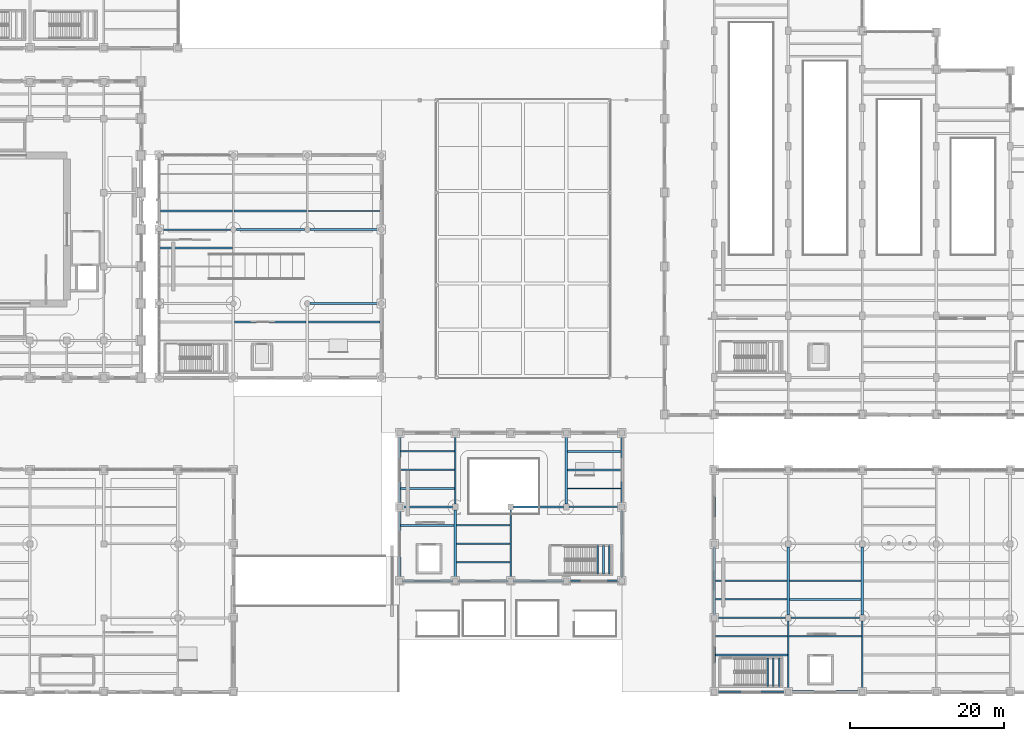
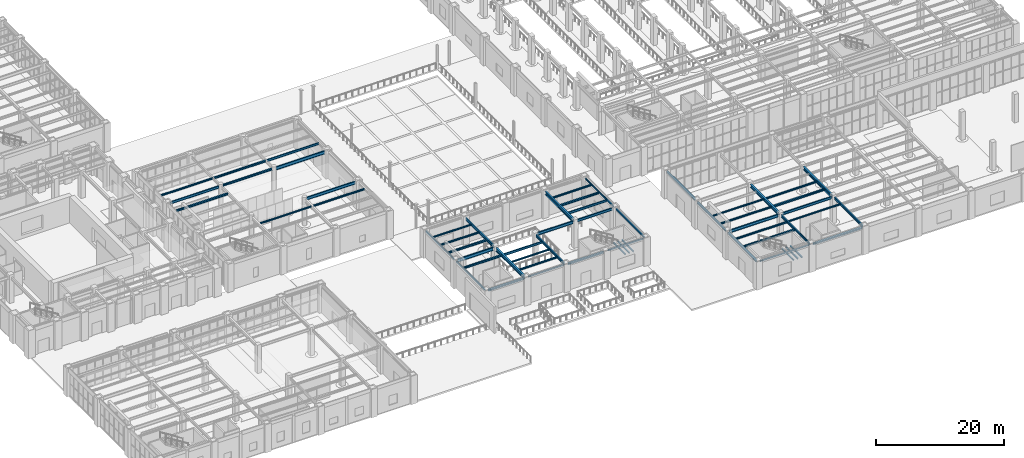
# One storey, part 46 of 164: 59 beams.
"""IFC4 building model written with IfcOpenShell, lengths in metres."""

from ifc_helpers import new_model, si_unit, direction, frame, origin, origin_2d, place, context, subcontext, project, spatial, hollow_rectangle, i_section, extrude, material, material_profile, profile_set, type_object, element, save


model = new_model("IFC4")

# Units and contexts
model_context = context("Model", 3, precision=1e-05, world=origin(), true_north=direction((0.0, 1.0)))
body_context = subcontext(model_context, "Body", "Model", "MODEL_VIEW")
ifc_project = project(units=[si_unit("LENGTHUNIT", "METRE"), si_unit("AREAUNIT", "SQUARE_METRE"), si_unit("VOLUMEUNIT", "CUBIC_METRE"), si_unit("PLANEANGLEUNIT", "RADIAN"), si_unit("MASSUNIT", "GRAM", prefix="KILO")], contexts=[model_context])

# Site, building, storey
site_placement = place(None, origin())
site = spatial("IfcSite", under=ifc_project, at=site_placement, CompositionType="ELEMENT")
building_placement = place(site_placement, origin())
building = spatial("IfcBuilding", under=site, at=building_placement, Name="Mavantir Sound Aquarium", CompositionType="ELEMENT")
storey_placement = place(building_placement, origin())
storey = spatial("IfcBuildingStorey", under=building, at=storey_placement, Name="L00", CompositionType="ELEMENT", Elevation=0.0)

# Beams
ifc_material_1 = material(Name="Hollow Structural Steel ASTM A500 GrC", Category="steel")
ifc_material_profile_1 = material_profile(ifc_material_1, hollow_rectangle(XDim=0.199951171875, YDim=0.300048828125, WallThickness=0.012451171875, InnerFilletRadius=0.012451171875, OuterFilletRadius=0.02490234375, at=origin_2d()), Name="RHS 300X200X12.5")
ifc_profile_set_1 = profile_set([ifc_material_profile_1], Name="Hollow Structural Steel ASTM A500 GrC")
beam_type_1 = type_object("IfcBeamType", Name="BM-RHS300-E", PredefinedType="SPANDREL", material=ifc_profile_set_1)
for number, where, z_axis, x_axis, name in (
    (1, (67.199951171875, 14.77490234375, 4.946044921875), (0.0, 1.0, 0.0), (-1.0, 0.0, 0.0), "L00 primary girder SS-R30 1112"),
    (2, (67.199951171875, 24.375, 4.946044921875), (0.0, 1.0, 0.0), (-1.0, 0.0, 0.0), "L00 primary girder SS-R30 1113"),
    (3, (96.0, 14.77490234375, 4.946044921875), (0.0, 1.0, 0.0), (-1.0, 0.0, 0.0), "L00 primary girder SS-R30 1118"),
    (4, (96.0, 24.375, 4.946044921875), (0.0, 1.0, 0.0), (-1.0, 0.0, 0.0), "L00 primary girder SS-R30 1119"),
):
    element("IfcBeam", number, at=place(storey_placement, frame(where, z_axis=z_axis, x_axis=x_axis)), inside=storey, type_object=beam_type_1, Name=name, PredefinedType="SPANDREL", context=body_context, shape_type="SweptSolid", body=[
        extrude(hollow_rectangle(XDim=0.199951171875, YDim=0.300048828125, WallThickness=0.012451171875, InnerFilletRadius=0.012451171875, OuterFilletRadius=0.02490234375, at=origin_2d()), origin(), (0.0, 0.0, 1.0), 8.85009765625),
    ])
ifc_material_2 = material(Name="Structural Steel ASTM A992 Gr50", Category="steel")
ifc_material_profile_2 = material_profile(ifc_material_2, i_section(OverallWidth=0.202880859375, OverallDepth=0.202880859375, WebThickness=0.007080078125, FlangeThickness=0.010986328125, FilletRadius=0.010009765625, at=origin_2d()), Name="W200X46")
ifc_profile_set_2 = profile_set([ifc_material_profile_2], Name="Structural Steel ASTM A992 Gr50")
beam_type_2 = type_object("IfcBeamType", Name="BM-W200X46-E", PredefinedType="LINTEL", material=ifc_profile_set_2)
beam_1_placement = place(storey_placement, frame((108.375, 0.0, 4.944580078125), z_axis=(1.0, 0.0, 0.0), x_axis=(0.0, 1.0, 0.0)))
element("IfcBeam", 5, at=beam_1_placement, inside=storey, type_object=beam_type_2, Name="L00 primary beam SL-20 1070", PredefinedType="LINTEL", context=body_context, shape_type="SweptSolid", body=[
    extrude(i_section(OverallWidth=0.202880859375, OverallDepth=0.202880859375, WebThickness=0.007080078125, FlangeThickness=0.010986328125, FilletRadius=0.010009765625, at=origin_2d()), origin(), (0.0, 0.0, 1.0), 8.85009765625),
])
beam_2_placement = place(storey_placement, frame((74.77490234375, 14.39990234375, 4.994384765625), z_axis=(1.0, 0.0, 0.0), x_axis=(0.0, 1.0, 0.0)))
element("IfcBeam", 6, at=beam_2_placement, inside=storey, type_object=beam_type_2, Name="L00 primary beam SL-20 1102", PredefinedType="LINTEL", context=body_context, shape_type="SweptSolid", body=[
    extrude(i_section(OverallWidth=0.202880859375, OverallDepth=0.202880859375, WebThickness=0.007080078125, FlangeThickness=0.010986328125, FilletRadius=0.010009765625, at=origin_2d()), origin(), (0.0, 0.0, 1.0), 6.4501953125),
])
beam_3_placement = place(storey_placement, frame((89.175048828125, 14.39990234375, 4.994384765625), z_axis=(1.0, 0.0, 0.0), x_axis=(0.0, 1.0, 0.0)))
element("IfcBeam", 7, at=beam_3_placement, inside=storey, type_object=beam_type_2, Name="L00 primary beam SL-20 1104", PredefinedType="LINTEL", context=body_context, shape_type="SweptSolid", body=[
    extrude(i_section(OverallWidth=0.202880859375, OverallDepth=0.202880859375, WebThickness=0.007080078125, FlangeThickness=0.010986328125, FilletRadius=0.010009765625, at=origin_2d()), origin(), (0.0, 0.0, 1.0), 6.449951171875),
])
ifc_material_profile_3 = material_profile(ifc_material_2, i_section(OverallWidth=0.202880859375, OverallDepth=0.202880859375, WebThickness=0.007080078125, FlangeThickness=0.010986328125, FilletRadius=0.010009765625, at=origin_2d()), Name="W200X46")
ifc_profile_set_3 = profile_set([ifc_material_profile_3], Name="Structural Steel ASTM A992 Gr50")
beam_type_3 = type_object("IfcBeamType", Name="BM-W200X46-I", PredefinedType="LINTEL", material=ifc_profile_set_3)
for number, where, z_axis, x_axis, name in (
    (8, (114.929931640625, 0.72509765625, 2.3955078125), (0.0, 1.0, 0.0), (-1.0, 0.0, 0.0), "Stair ST6 landing support beam 130"),
    (9, (115.679931640625, 0.72509765625, 2.3955078125), (0.0, 1.0, 0.0), (-1.0, 0.0, 0.0), "Stair ST6 landing support beam 131"),
    (10, (116.429931640625, 0.72509765625, 2.3955078125), (0.0, 1.0, 0.0), (-1.0, 0.0, 0.0), "Stair ST6 landing support beam 132"),
):
    element("IfcBeam", number, at=place(storey_placement, frame(where, z_axis=z_axis, x_axis=x_axis)), inside=storey, type_object=beam_type_3, Name=name, PredefinedType="LINTEL", context=body_context, shape_type="SweptSolid", body=[
        extrude(i_section(OverallWidth=0.202880859375, OverallDepth=0.202880859375, WebThickness=0.007080078125, FlangeThickness=0.010986328125, FilletRadius=0.010009765625, at=origin_2d()), origin(), (0.0, 0.0, 1.0), 3.699951171875),
    ])
for number, where, z_axis, x_axis, name in (
    (11, (92.8798828125, 15.27490234375, 2.3955078125), (0.0, 1.0, 0.0), (-1.0, 0.0, 0.0), "Stair ST11 landing support beam 160"),
    (12, (93.6298828125, 15.27490234375, 2.3955078125), (0.0, 1.0, 0.0), (-1.0, 0.0, 0.0), "Stair ST11 landing support beam 161"),
    (13, (94.3798828125, 15.27490234375, 2.3955078125), (0.0, 1.0, 0.0), (-1.0, 0.0, 0.0), "Stair ST11 landing support beam 162"),
):
    element("IfcBeam", number, at=place(storey_placement, frame(where, z_axis=z_axis, x_axis=x_axis)), inside=storey, type_object=beam_type_3, Name=name, PredefinedType="LINTEL", context=body_context, shape_type="SweptSolid", body=[
        extrude(i_section(OverallWidth=0.202880859375, OverallDepth=0.202880859375, WebThickness=0.007080078125, FlangeThickness=0.010986328125, FilletRadius=0.010009765625, at=origin_2d()), origin(), (0.0, 0.0, 1.0), 3.7001953125),
    ])
ifc_material_profile_4 = material_profile(ifc_material_2, i_section(OverallWidth=0.202880859375, OverallDepth=0.251953125, WebThickness=0.008056640625, FlangeThickness=0.013427734375, FilletRadius=0.011962890625, at=origin_2d()), Name="W250X58")
ifc_profile_set_4 = profile_set([ifc_material_profile_4], Name="Structural Steel ASTM A992 Gr50")
beam_type_4 = type_object("IfcBeamType", Name="BM-W250X58-I", PredefinedType="JOIST", material=ifc_profile_set_4)
beam_4_placement = place(storey_placement, frame((45.761962890625, 48.0, 4.969970703125), z_axis=(1.0, 0.0, 0.0), x_axis=(0.0, 1.0, 0.0)))
element("IfcBeam", 14, at=beam_4_placement, inside=storey, type_object=beam_type_4, Name="L00 secondary floor joist SJ-25 464", PredefinedType="JOIST", context=body_context, shape_type="SweptSolid", body=[
    extrude(i_section(OverallWidth=0.202880859375, OverallDepth=0.251953125, WebThickness=0.008056640625, FlangeThickness=0.013427734375, FilletRadius=0.011962890625, at=origin_2d()), origin(), (0.0, 0.0, 1.0), 9.276123046875),
])
beam_5_placement = place(storey_placement, frame((117.697021484375, 7.199951171875, 4.919921875), z_axis=(1.0, 0.0, 0.0), x_axis=(0.0, 1.0, 0.0)))
element("IfcBeam", 15, at=beam_5_placement, inside=storey, type_object=beam_type_4, Name="L00 secondary floor joist SJ-25 612", PredefinedType="JOIST", context=body_context, shape_type="SweptSolid", body=[
    extrude(i_section(OverallWidth=0.202880859375, OverallDepth=0.251953125, WebThickness=0.008056640625, FlangeThickness=0.013427734375, FilletRadius=0.011962890625, at=origin_2d()), origin(), (0.0, 0.0, 1.0), 9.406005859375),
])
beam_6_placement = place(storey_placement, frame((108.152587890625, 14.39990234375, 4.919921875), z_axis=(1.0, 0.0, 0.0), x_axis=(0.0, 1.0, 0.0)))
element("IfcBeam", 16, at=beam_6_placement, inside=storey, type_object=beam_type_4, Name="L00 secondary floor joist SJ-25 620", PredefinedType="JOIST", context=body_context, shape_type="SweptSolid", body=[
    extrude(i_section(OverallWidth=0.202880859375, OverallDepth=0.251953125, WebThickness=0.008056640625, FlangeThickness=0.013427734375, FilletRadius=0.011962890625, at=origin_2d()), origin(), (0.0, 0.0, 1.0), 9.285400390625),
])
beam_7_placement = place(storey_placement, frame((74.56201171875, 19.199951171875, 4.969970703125), z_axis=(1.0, 0.0, 0.0), x_axis=(0.0, 1.0, 0.0)))
element("IfcBeam", 17, at=beam_7_placement, inside=storey, type_object=beam_type_4, Name="L00 secondary floor joist SJ-25 636", PredefinedType="JOIST", context=body_context, shape_type="SweptSolid", body=[
    extrude(i_section(OverallWidth=0.202880859375, OverallDepth=0.251953125, WebThickness=0.008056640625, FlangeThickness=0.013427734375, FilletRadius=0.011962890625, at=origin_2d()), origin(), (0.0, 0.0, 1.0), 6.94091796875),
])
beam_8_placement = place(storey_placement, frame((67.300048828125, 31.199951171875, 4.969970703125), z_axis=(1.0, 0.0, 0.0), x_axis=(0.0, 1.0, 0.0)))
element("IfcBeam", 18, at=beam_8_placement, inside=storey, type_object=beam_type_4, Name="L00 secondary floor joist SJ-25 640", PredefinedType="JOIST", context=body_context, shape_type="SweptSolid", body=[
    extrude(i_section(OverallWidth=0.202880859375, OverallDepth=0.251953125, WebThickness=0.008056640625, FlangeThickness=0.013427734375, FilletRadius=0.011962890625, at=origin_2d()), origin(), (0.0, 0.0, 1.0), 6.993896484375),
])
ifc_material_profile_5 = material_profile(ifc_material_2, i_section(OverallWidth=0.205078125, OverallDepth=0.31005859375, WebThickness=0.009521484375, FlangeThickness=0.016357421875, FilletRadius=0.012939453125, at=origin_2d()), Name="W310X74")
ifc_profile_set_5 = profile_set([ifc_material_profile_5], Name="Structural Steel ASTM A992 Gr50")
beam_type_5 = type_object("IfcBeamType", Name="BM-W310X74-I", PredefinedType="JOIST", material=ifc_profile_set_5)
beam_9_placement = place(storey_placement, frame((55.362060546875, 48.0, 4.94091796875), z_axis=(1.0, 0.0, 0.0), x_axis=(0.0, 1.0, 0.0)))
element("IfcBeam", 19, at=beam_9_placement, inside=storey, type_object=beam_type_5, Name="L00 secondary floor joist SJ-31 467", PredefinedType="JOIST", context=body_context, shape_type="SweptSolid", body=[
    extrude(i_section(OverallWidth=0.205078125, OverallDepth=0.31005859375, WebThickness=0.009521484375, FlangeThickness=0.016357421875, FilletRadius=0.012939453125, at=origin_2d()), origin(), (0.0, 0.0, 1.0), 9.285400390625),
])
for number, where, z_axis, x_axis, name in (
    (20, (36.152587890625, 62.39990234375, 4.94091796875), (1.0, 0.0, 0.0), (0.0, 1.0, 0.0), "L00 secondary floor joist SJ-31 471"),
    (21, (108.152587890625, 7.199951171875, 4.89111328125), (1.0, 0.0, 0.0), (0.0, 1.0, 0.0), "L00 secondary floor joist SJ-31 611"),
):
    element("IfcBeam", number, at=place(storey_placement, frame(where, z_axis=z_axis, x_axis=x_axis)), inside=storey, type_object=beam_type_5, Name=name, PredefinedType="JOIST", context=body_context, shape_type="SweptSolid", body=[
        extrude(i_section(OverallWidth=0.205078125, OverallDepth=0.31005859375, WebThickness=0.009521484375, FlangeThickness=0.016357421875, FilletRadius=0.012939453125, at=origin_2d()), origin(), (0.0, 0.0, 1.0), 9.350341796875),
    ])
beam_10_placement = place(storey_placement, frame((108.152587890625, 12.0, 4.89111328125), z_axis=(1.0, 0.0, 0.0), x_axis=(0.0, 1.0, 0.0)))
element("IfcBeam", 22, at=beam_10_placement, inside=storey, type_object=beam_type_5, Name="L00 secondary floor joist SJ-31 619", PredefinedType="JOIST", context=body_context, shape_type="SweptSolid", body=[
    extrude(i_section(OverallWidth=0.205078125, OverallDepth=0.31005859375, WebThickness=0.009521484375, FlangeThickness=0.016357421875, FilletRadius=0.012939453125, at=origin_2d()), origin(), (0.0, 0.0, 1.0), 9.285400390625),
])
beam_11_placement = place(storey_placement, frame((117.761962890625, 14.39990234375, 4.89111328125), z_axis=(1.0, 0.0, 0.0), x_axis=(0.0, 1.0, 0.0)))
element("IfcBeam", 23, at=beam_11_placement, inside=storey, type_object=beam_type_5, Name="L00 secondary floor joist SJ-31 623", PredefinedType="JOIST", context=body_context, shape_type="SweptSolid", body=[
    extrude(i_section(OverallWidth=0.205078125, OverallDepth=0.31005859375, WebThickness=0.009521484375, FlangeThickness=0.016357421875, FilletRadius=0.012939453125, at=origin_2d()), origin(), (0.0, 0.0, 1.0), 9.276123046875),
])
beam_12_placement = place(storey_placement, frame((74.56201171875, 16.800048828125, 4.94091796875), z_axis=(1.0, 0.0, 0.0), x_axis=(0.0, 1.0, 0.0)))
element("IfcBeam", 24, at=beam_12_placement, inside=storey, type_object=beam_type_5, Name="L00 secondary floor joist SJ-31 635", PredefinedType="JOIST", context=body_context, shape_type="SweptSolid", body=[
    extrude(i_section(OverallWidth=0.205078125, OverallDepth=0.31005859375, WebThickness=0.009521484375, FlangeThickness=0.016357421875, FilletRadius=0.012939453125, at=origin_2d()), origin(), (0.0, 0.0, 1.0), 6.94091796875),
])
beam_13_placement = place(storey_placement, frame((67.300048828125, 28.800048828125, 4.94091796875), z_axis=(1.0, 0.0, 0.0), x_axis=(0.0, 1.0, 0.0)))
element("IfcBeam", 25, at=beam_13_placement, inside=storey, type_object=beam_type_5, Name="L00 secondary floor joist SJ-31 639", PredefinedType="JOIST", context=body_context, shape_type="SweptSolid", body=[
    extrude(i_section(OverallWidth=0.205078125, OverallDepth=0.31005859375, WebThickness=0.009521484375, FlangeThickness=0.016357421875, FilletRadius=0.012939453125, at=origin_2d()), origin(), (0.0, 0.0, 1.0), 6.993896484375),
])
beam_14_placement = place(storey_placement, frame((88.9619140625, 31.199951171875, 4.94091796875), z_axis=(1.0, 0.0, 0.0), x_axis=(0.0, 1.0, 0.0)))
element("IfcBeam", 26, at=beam_14_placement, inside=storey, type_object=beam_type_5, Name="L00 secondary floor joist SJ-31 643", PredefinedType="JOIST", context=body_context, shape_type="SweptSolid", body=[
    extrude(i_section(OverallWidth=0.205078125, OverallDepth=0.31005859375, WebThickness=0.009521484375, FlangeThickness=0.016357421875, FilletRadius=0.012939453125, at=origin_2d()), origin(), (0.0, 0.0, 1.0), 6.93798828125),
])
ifc_material_profile_6 = material_profile(ifc_material_2, i_section(OverallWidth=0.304931640625, OverallDepth=0.30810546875, WebThickness=0.010009765625, FlangeThickness=0.015380859375, FilletRadius=0.014892578125, at=origin_2d()), Name="W310X97")
ifc_profile_set_6 = profile_set([ifc_material_profile_6], Name="Structural Steel ASTM A992 Gr50")
beam_type_6 = type_object("IfcBeamType", Name="BM-W310X97-E", PredefinedType="SPANDREL", material=ifc_profile_set_6)
beam_15_placement = place(storey_placement, frame((117.97509765625, 0.0, 4.89208984375), z_axis=(1.0, 0.0, 0.0), x_axis=(0.0, 1.0, 0.0)))
element("IfcBeam", 27, at=beam_15_placement, inside=storey, type_object=beam_type_6, Name="L00 primary beam SS-31A 1071", PredefinedType="SPANDREL", context=body_context, shape_type="SweptSolid", body=[
    extrude(i_section(OverallWidth=0.304931640625, OverallDepth=0.30810546875, WebThickness=0.010009765625, FlangeThickness=0.015380859375, FilletRadius=0.014892578125, at=origin_2d()), origin(), (0.0, 0.0, 1.0), 8.849853515625),
])
beam_16_placement = place(storey_placement, frame((108.0, 0.375, 4.89208984375), z_axis=(0.0, 1.0, 0.0), x_axis=(-1.0, 0.0, 0.0)))
element("IfcBeam", 28, at=beam_16_placement, inside=storey, type_object=beam_type_6, Name="L00 primary girder SS-31A 1086", PredefinedType="SPANDREL", context=body_context, shape_type="SweptSolid", body=[
    extrude(i_section(OverallWidth=0.304931640625, OverallDepth=0.30810546875, WebThickness=0.010009765625, FlangeThickness=0.015380859375, FilletRadius=0.014892578125, at=origin_2d()), origin(), (0.0, 0.0, 1.0), 8.85009765625),
])
beam_17_placement = place(storey_placement, frame((108.0, 9.97509765625, 4.89208984375), z_axis=(0.0, 1.0, 0.0), x_axis=(-1.0, 0.0, 0.0)))
element("IfcBeam", 29, at=beam_17_placement, inside=storey, type_object=beam_type_6, Name="L00 primary girder SS-31A 1087", PredefinedType="SPANDREL", context=body_context, shape_type="SweptSolid", body=[
    extrude(i_section(OverallWidth=0.304931640625, OverallDepth=0.30810546875, WebThickness=0.010009765625, FlangeThickness=0.015380859375, FilletRadius=0.014892578125, at=origin_2d()), origin(), (0.0, 0.0, 1.0), 8.849853515625),
])
beam_18_placement = place(storey_placement, frame((108.0, 19.574951171875, 4.9619140625), z_axis=(0.0, 1.0, 0.0), x_axis=(-1.0, 0.0, 0.0)))
element("IfcBeam", 30, at=beam_18_placement, inside=storey, type_object=beam_type_6, Name="L00 primary girder SS-31A 1088", PredefinedType="SPANDREL", context=body_context, shape_type="SweptSolid", body=[
    extrude(i_section(OverallWidth=0.304931640625, OverallDepth=0.30810546875, WebThickness=0.010009765625, FlangeThickness=0.015380859375, FilletRadius=0.014892578125, at=origin_2d()), origin(), (0.0, 0.0, 1.0), 8.85009765625),
])
for number, where, z_axis, x_axis, name in (
    (31, (67.574951171875, 14.39990234375, 4.94189453125), (1.0, 0.0, 0.0), (0.0, 1.0, 0.0), "L00 primary beam SS-31A 1101"),
    (32, (81.97509765625, 14.39990234375, 4.94189453125), (1.0, 0.0, 0.0), (0.0, 1.0, 0.0), "L00 primary beam SS-31A 1103"),
):
    element("IfcBeam", number, at=place(storey_placement, frame(where, z_axis=z_axis, x_axis=x_axis)), inside=storey, type_object=beam_type_6, Name=name, PredefinedType="SPANDREL", context=body_context, shape_type="SweptSolid", body=[
        extrude(i_section(OverallWidth=0.304931640625, OverallDepth=0.30810546875, WebThickness=0.010009765625, FlangeThickness=0.015380859375, FilletRadius=0.014892578125, at=origin_2d()), origin(), (0.0, 0.0, 1.0), 6.449951171875),
    ])
ifc_material_profile_7 = material_profile(ifc_material_2, i_section(OverallWidth=0.257080078125, OverallDepth=0.363037109375, WebThickness=0.012939453125, FlangeThickness=0.021728515625, FilletRadius=0.014892578125, at=origin_2d()), Name="W360X122")
ifc_profile_set_7 = profile_set([ifc_material_profile_7], Name="Structural Steel ASTM A992 Gr50")
beam_type_7 = type_object("IfcBeamType", Name="BM-W360X122-I", PredefinedType="BEAM", material=ifc_profile_set_7)
beam_19_placement = place(storey_placement, frame((45.97509765625, 60.0, 4.91455078125), z_axis=(1.0, 0.0, 0.0), x_axis=(0.0, 1.0, 0.0)))
element("IfcBeam", 33, at=beam_19_placement, inside=storey, type_object=beam_type_7, Name="L00 primary beam SB-36A 872", PredefinedType="BEAM", context=body_context, shape_type="SweptSolid", body=[
    extrude(i_section(OverallWidth=0.257080078125, OverallDepth=0.363037109375, WebThickness=0.012939453125, FlangeThickness=0.021728515625, FilletRadius=0.014892578125, at=origin_2d()), origin(), (0.0, 0.0, 1.0), 8.849853515625),
])
ifc_material_profile_8 = material_profile(ifc_material_2, i_section(OverallWidth=0.25390625, OverallDepth=0.35302734375, WebThickness=0.009521484375, FlangeThickness=0.016357421875, FilletRadius=0.014892578125, at=origin_2d()), Name="W360X91")
ifc_profile_set_8 = profile_set([ifc_material_profile_8], Name="Structural Steel ASTM A992 Gr50")
beam_type_8 = type_object("IfcBeamType", Name="BM-W360X91-I", PredefinedType="JOIST", material=ifc_profile_set_8)
beam_20_placement = place(storey_placement, frame((36.152587890625, 57.60009765625, 4.91943359375), z_axis=(1.0, 0.0, 0.0), x_axis=(0.0, 1.0, 0.0)))
element("IfcBeam", 34, at=beam_20_placement, inside=storey, type_object=beam_type_8, Name="L00 secondary floor joist SJ-36 470", PredefinedType="JOIST", context=body_context, shape_type="SweptSolid", body=[
    extrude(i_section(OverallWidth=0.25390625, OverallDepth=0.35302734375, WebThickness=0.009521484375, FlangeThickness=0.016357421875, FilletRadius=0.014892578125, at=origin_2d()), origin(), (0.0, 0.0, 1.0), 9.34130859375),
])
beam_21_placement = place(storey_placement, frame((45.697021484375, 62.39990234375, 4.91943359375), z_axis=(1.0, 0.0, 0.0), x_axis=(0.0, 1.0, 0.0)))
element("IfcBeam", 35, at=beam_21_placement, inside=storey, type_object=beam_type_8, Name="L00 secondary floor joist SJ-36 474", PredefinedType="JOIST", context=body_context, shape_type="SweptSolid", body=[
    extrude(i_section(OverallWidth=0.25390625, OverallDepth=0.35302734375, WebThickness=0.009521484375, FlangeThickness=0.016357421875, FilletRadius=0.014892578125, at=origin_2d()), origin(), (0.0, 0.0, 1.0), 9.39697265625),
])
beam_22_placement = place(storey_placement, frame((108.152587890625, 4.800048828125, 4.869384765625), z_axis=(1.0, 0.0, 0.0), x_axis=(0.0, 1.0, 0.0)))
element("IfcBeam", 36, at=beam_22_placement, inside=storey, type_object=beam_type_8, Name="L00 secondary floor joist SJ-36 610", PredefinedType="JOIST", context=body_context, shape_type="SweptSolid", body=[
    extrude(i_section(OverallWidth=0.25390625, OverallDepth=0.35302734375, WebThickness=0.009521484375, FlangeThickness=0.016357421875, FilletRadius=0.014892578125, at=origin_2d()), origin(), (0.0, 0.0, 1.0), 9.350341796875),
])
beam_23_placement = place(storey_placement, frame((117.761962890625, 12.0, 4.869384765625), z_axis=(1.0, 0.0, 0.0), x_axis=(0.0, 1.0, 0.0)))
element("IfcBeam", 37, at=beam_23_placement, inside=storey, type_object=beam_type_8, Name="L00 secondary floor joist SJ-36 622", PredefinedType="JOIST", context=body_context, shape_type="SweptSolid", body=[
    extrude(i_section(OverallWidth=0.25390625, OverallDepth=0.35302734375, WebThickness=0.009521484375, FlangeThickness=0.016357421875, FilletRadius=0.014892578125, at=origin_2d()), origin(), (0.0, 0.0, 1.0), 9.276123046875),
])
beam_24_placement = place(storey_placement, frame((67.300048828125, 21.60009765625, 4.91943359375), z_axis=(1.0, 0.0, 0.0), x_axis=(0.0, 1.0, 0.0)))
element("IfcBeam", 38, at=beam_24_placement, inside=storey, type_object=beam_type_8, Name="L00 secondary floor joist SJ-36 634", PredefinedType="JOIST", context=body_context, shape_type="SweptSolid", body=[
    extrude(i_section(OverallWidth=0.25390625, OverallDepth=0.35302734375, WebThickness=0.009521484375, FlangeThickness=0.016357421875, FilletRadius=0.014892578125, at=origin_2d()), origin(), (0.0, 0.0, 1.0), 6.93798828125),
])
beam_25_placement = place(storey_placement, frame((67.300048828125, 26.39990234375, 4.91943359375), z_axis=(1.0, 0.0, 0.0), x_axis=(0.0, 1.0, 0.0)))
element("IfcBeam", 39, at=beam_25_placement, inside=storey, type_object=beam_type_8, Name="L00 secondary floor joist SJ-36 638", PredefinedType="JOIST", context=body_context, shape_type="SweptSolid", body=[
    extrude(i_section(OverallWidth=0.25390625, OverallDepth=0.35302734375, WebThickness=0.009521484375, FlangeThickness=0.016357421875, FilletRadius=0.014892578125, at=origin_2d()), origin(), (0.0, 0.0, 1.0), 6.993896484375),
])
beam_26_placement = place(storey_placement, frame((88.9619140625, 28.800048828125, 4.91943359375), z_axis=(1.0, 0.0, 0.0), x_axis=(0.0, 1.0, 0.0)))
element("IfcBeam", 40, at=beam_26_placement, inside=storey, type_object=beam_type_8, Name="L00 secondary floor joist SJ-36 642", PredefinedType="JOIST", context=body_context, shape_type="SweptSolid", body=[
    extrude(i_section(OverallWidth=0.25390625, OverallDepth=0.35302734375, WebThickness=0.009521484375, FlangeThickness=0.016357421875, FilletRadius=0.014892578125, at=origin_2d()), origin(), (0.0, 0.0, 1.0), 6.93798828125),
])
ifc_material_profile_9 = material_profile(ifc_material_2, i_section(OverallWidth=0.180908203125, OverallDepth=0.4169921875, WebThickness=0.010986328125, FlangeThickness=0.018310546875, FilletRadius=0.014892578125, at=origin_2d()), Name="W410X85")
ifc_profile_set_9 = profile_set([ifc_material_profile_9], Name="Structural Steel ASTM A992 Gr50")
beam_type_9 = type_object("IfcBeamType", Name="BM-W410X85-I", PredefinedType="JOIST", material=ifc_profile_set_9)
beam_27_placement = place(storey_placement, frame((55.305908203125, 62.39990234375, 4.887451171875), z_axis=(1.0, 0.0, 0.0), x_axis=(0.0, 1.0, 0.0)))
element("IfcBeam", 41, at=beam_27_placement, inside=storey, type_object=beam_type_9, Name="L00 secondary floor joist SJ-41 477", PredefinedType="JOIST", context=body_context, shape_type="SweptSolid", body=[
    extrude(i_section(OverallWidth=0.180908203125, OverallDepth=0.4169921875, WebThickness=0.010986328125, FlangeThickness=0.018310546875, FilletRadius=0.014892578125, at=origin_2d()), origin(), (0.0, 0.0, 1.0), 9.341552734375),
])
beam_28_placement = place(storey_placement, frame((74.56201171875, 21.60009765625, 4.887451171875), z_axis=(1.0, 0.0, 0.0), x_axis=(0.0, 1.0, 0.0)))
element("IfcBeam", 42, at=beam_28_placement, inside=storey, type_object=beam_type_9, Name="L00 secondary floor joist SJ-41 637", PredefinedType="JOIST", context=body_context, shape_type="SweptSolid", body=[
    extrude(i_section(OverallWidth=0.180908203125, OverallDepth=0.4169921875, WebThickness=0.010986328125, FlangeThickness=0.018310546875, FilletRadius=0.014892578125, at=origin_2d()), origin(), (0.0, 0.0, 1.0), 6.94091796875),
])
beam_29_placement = place(storey_placement, frame((88.9619140625, 26.39990234375, 4.887451171875), z_axis=(1.0, 0.0, 0.0), x_axis=(0.0, 1.0, 0.0)))
element("IfcBeam", 43, at=beam_29_placement, inside=storey, type_object=beam_type_9, Name="L00 secondary floor joist SJ-41 641", PredefinedType="JOIST", context=body_context, shape_type="SweptSolid", body=[
    extrude(i_section(OverallWidth=0.180908203125, OverallDepth=0.4169921875, WebThickness=0.010986328125, FlangeThickness=0.018310546875, FilletRadius=0.014892578125, at=origin_2d()), origin(), (0.0, 0.0, 1.0), 6.93798828125),
])
ifc_material_profile_10 = material_profile(ifc_material_2, i_section(OverallWidth=0.194091796875, OverallDepth=0.468994140625, WebThickness=0.0126953125, FlangeThickness=0.0205078125, FilletRadius=0.01611328125, at=origin_2d()), Name="W460X106")
ifc_profile_set_10 = profile_set([ifc_material_profile_10], Name="Structural Steel ASTM A992 Gr50")
beam_type_10 = type_object("IfcBeamType", Name="BM-W460X106-I", PredefinedType="BEAM", material=ifc_profile_set_10)
beam_30_placement = place(storey_placement, frame((36.375, 60.0, 4.861572265625), z_axis=(1.0, 0.0, 0.0), x_axis=(0.0, 1.0, 0.0)))
element("IfcBeam", 44, at=beam_30_placement, inside=storey, type_object=beam_type_10, Name="L00 primary beam SB-46 871", PredefinedType="BEAM", context=body_context, shape_type="SweptSolid", body=[
    extrude(i_section(OverallWidth=0.194091796875, OverallDepth=0.468994140625, WebThickness=0.0126953125, FlangeThickness=0.0205078125, FilletRadius=0.01611328125, at=origin_2d()), origin(), (0.0, 0.0, 1.0), 8.85009765625),
])
beam_31_placement = place(storey_placement, frame((117.97509765625, 9.60009765625, 4.8115234375), z_axis=(1.0, 0.0, 0.0), x_axis=(0.0, 1.0, 0.0)))
element("IfcBeam", 45, at=beam_31_placement, inside=storey, type_object=beam_type_10, Name="L00 primary beam SB-46 1075", PredefinedType="BEAM", context=body_context, shape_type="SweptSolid", body=[
    extrude(i_section(OverallWidth=0.194091796875, OverallDepth=0.468994140625, WebThickness=0.0126953125, FlangeThickness=0.0205078125, FilletRadius=0.01611328125, at=origin_2d()), origin(), (0.0, 0.0, 1.0), 8.849853515625),
])
for number, where, z_axis, x_axis, name in (
    (46, (117.60009765625, 0.375, 4.8115234375), (0.0, 1.0, 0.0), (-1.0, 0.0, 0.0), "L00 primary girder SB-46 1089"),
    (47, (127.199951171875, 0.375, 4.8115234375), (0.0, 1.0, 0.0), (-1.0, 0.0, 0.0), "L00 primary girder SB-46 1092"),
):
    element("IfcBeam", number, at=place(storey_placement, frame(where, z_axis=z_axis, x_axis=x_axis)), inside=storey, type_object=beam_type_10, Name=name, PredefinedType="BEAM", context=body_context, shape_type="SweptSolid", body=[
        extrude(i_section(OverallWidth=0.194091796875, OverallDepth=0.468994140625, WebThickness=0.0126953125, FlangeThickness=0.0205078125, FilletRadius=0.01611328125, at=origin_2d()), origin(), (0.0, 0.0, 1.0), 8.85009765625),
    ])
beam_32_placement = place(storey_placement, frame((89.175048828125, 24.0, 4.861572265625), z_axis=(1.0, 0.0, 0.0), x_axis=(0.0, 1.0, 0.0)))
element("IfcBeam", 48, at=beam_32_placement, inside=storey, type_object=beam_type_10, Name="L00 primary beam SB-46 1107", PredefinedType="BEAM", context=body_context, shape_type="SweptSolid", body=[
    extrude(i_section(OverallWidth=0.194091796875, OverallDepth=0.468994140625, WebThickness=0.0126953125, FlangeThickness=0.0205078125, FilletRadius=0.01611328125, at=origin_2d()), origin(), (0.0, 0.0, 1.0), 6.449951171875),
])
beam_33_placement = place(storey_placement, frame((81.60009765625, 14.77490234375, 4.861572265625), z_axis=(0.0, 1.0, 0.0), x_axis=(-1.0, 0.0, 0.0)))
element("IfcBeam", 49, at=beam_33_placement, inside=storey, type_object=beam_type_10, Name="L00 primary girder SB-46 1116", PredefinedType="BEAM", context=body_context, shape_type="SweptSolid", body=[
    extrude(i_section(OverallWidth=0.194091796875, OverallDepth=0.468994140625, WebThickness=0.0126953125, FlangeThickness=0.0205078125, FilletRadius=0.01611328125, at=origin_2d()), origin(), (0.0, 0.0, 1.0), 8.85009765625),
])
ifc_material_profile_11 = material_profile(ifc_material_2, i_section(OverallWidth=0.2119140625, OverallDepth=0.5439453125, WebThickness=0.01318359375, FlangeThickness=0.021240234375, FilletRadius=0.01806640625, at=origin_2d()), Name="W530X123")
ifc_profile_set_11 = profile_set([ifc_material_profile_11], Name="Structural Steel ASTM A992 Gr50")
beam_type_11 = type_object("IfcBeamType", Name="BM-W530X123-I", PredefinedType="BEAM", material=ifc_profile_set_11)
for number, where, z_axis, x_axis, name in (
    (50, (55.574951171875, 50.39990234375, 4.823974609375), (1.0, 0.0, 0.0), (0.0, 1.0, 0.0), "L00 primary beam SB-53 870"),
    (51, (108.375, 9.60009765625, 4.77392578125), (1.0, 0.0, 0.0), (0.0, 1.0, 0.0), "L00 primary beam SB-53 1074"),
):
    element("IfcBeam", number, at=place(storey_placement, frame(where, z_axis=z_axis, x_axis=x_axis)), inside=storey, type_object=beam_type_11, Name=name, PredefinedType="BEAM", context=body_context, shape_type="SweptSolid", body=[
        extrude(i_section(OverallWidth=0.2119140625, OverallDepth=0.5439453125, WebThickness=0.01318359375, FlangeThickness=0.021240234375, FilletRadius=0.01806640625, at=origin_2d()), origin(), (0.0, 0.0, 1.0), 8.85009765625),
    ])
beam_34_placement = place(storey_placement, frame((81.97509765625, 24.0, 4.823974609375), z_axis=(1.0, 0.0, 0.0), x_axis=(0.0, 1.0, 0.0)))
element("IfcBeam", 52, at=beam_34_placement, inside=storey, type_object=beam_type_11, Name="L00 primary beam SB-53 1106", PredefinedType="BEAM", context=body_context, shape_type="SweptSolid", body=[
    extrude(i_section(OverallWidth=0.2119140625, OverallDepth=0.5439453125, WebThickness=0.01318359375, FlangeThickness=0.021240234375, FilletRadius=0.01806640625, at=origin_2d()), origin(), (0.0, 0.0, 1.0), 6.449951171875),
])
beam_35_placement = place(storey_placement, frame((74.39990234375, 24.375, 4.823974609375), z_axis=(0.0, 1.0, 0.0), x_axis=(-1.0, 0.0, 0.0)))
element("IfcBeam", 53, at=beam_35_placement, inside=storey, type_object=beam_type_11, Name="L00 primary girder SB-53 1115", PredefinedType="BEAM", context=body_context, shape_type="SweptSolid", body=[
    extrude(i_section(OverallWidth=0.2119140625, OverallDepth=0.5439453125, WebThickness=0.01318359375, FlangeThickness=0.021240234375, FilletRadius=0.01806640625, at=origin_2d()), origin(), (0.0, 0.0, 1.0), 8.85009765625),
])
ifc_material_profile_12 = material_profile(ifc_material_2, i_section(OverallWidth=0.22900390625, OverallDepth=0.612060546875, WebThickness=0.011962890625, FlangeThickness=0.01953125, FilletRadius=0.01904296875, at=origin_2d()), Name="W610X125")
ifc_profile_set_12 = profile_set([ifc_material_profile_12], Name="Structural Steel ASTM A992 Gr50")
beam_type_12 = type_object("IfcBeamType", Name="BM-W610X125-I", PredefinedType="BEAM", material=ifc_profile_set_12)
beam_36_placement = place(storey_placement, frame((55.574951171875, 60.0, 4.7900390625), z_axis=(1.0, 0.0, 0.0), x_axis=(0.0, 1.0, 0.0)))
element("IfcBeam", 54, at=beam_36_placement, inside=storey, type_object=beam_type_12, Name="L00 primary beam SB-61B 873", PredefinedType="BEAM", context=body_context, shape_type="SweptSolid", body=[
    extrude(i_section(OverallWidth=0.22900390625, OverallDepth=0.612060546875, WebThickness=0.011962890625, FlangeThickness=0.01953125, FilletRadius=0.01904296875, at=origin_2d()), origin(), (0.0, 0.0, 1.0), 8.85009765625),
])
beam_37_placement = place(storey_placement, frame((67.574951171875, 24.0, 4.7900390625), z_axis=(1.0, 0.0, 0.0), x_axis=(0.0, 1.0, 0.0)))
element("IfcBeam", 55, at=beam_37_placement, inside=storey, type_object=beam_type_12, Name="L00 primary beam SB-61B 1105", PredefinedType="BEAM", context=body_context, shape_type="SweptSolid", body=[
    extrude(i_section(OverallWidth=0.22900390625, OverallDepth=0.612060546875, WebThickness=0.011962890625, FlangeThickness=0.01953125, FilletRadius=0.01904296875, at=origin_2d()), origin(), (0.0, 0.0, 1.0), 6.449951171875),
])
ifc_material_profile_13 = material_profile(ifc_material_2, i_section(OverallWidth=0.323974609375, OverallDepth=0.611083984375, WebThickness=0.0126953125, FlangeThickness=0.01904296875, FilletRadius=0.01904296875, at=origin_2d()), Name="W610X155")
ifc_profile_set_13 = profile_set([ifc_material_profile_13], Name="Structural Steel ASTM A992 Gr50")
beam_type_13 = type_object("IfcBeamType", Name="BM-W610X155-I", PredefinedType="BEAM", material=ifc_profile_set_13)
for number, where, z_axis, x_axis, name in (
    (56, (117.60009765625, 9.97509765625, 4.740478515625), (0.0, 1.0, 0.0), (-1.0, 0.0, 0.0), "L00 primary girder SB-61A 1090"),
    (57, (127.199951171875, 9.97509765625, 4.740478515625), (0.0, 1.0, 0.0), (-1.0, 0.0, 0.0), "L00 primary girder SB-61A 1093"),
):
    element("IfcBeam", number, at=place(storey_placement, frame(where, z_axis=z_axis, x_axis=x_axis)), inside=storey, type_object=beam_type_13, Name=name, PredefinedType="BEAM", context=body_context, shape_type="SweptSolid", body=[
        extrude(i_section(OverallWidth=0.323974609375, OverallDepth=0.611083984375, WebThickness=0.0126953125, FlangeThickness=0.01904296875, FilletRadius=0.01904296875, at=origin_2d()), origin(), (0.0, 0.0, 1.0), 8.849853515625),
    ])
for number, where, z_axis, x_axis, name in (
    (58, (74.39990234375, 14.77490234375, 4.79052734375), (0.0, 1.0, 0.0), (-1.0, 0.0, 0.0), "L00 primary girder SB-61A 1114"),
    (59, (88.800048828125, 24.375, 4.79052734375), (0.0, 1.0, 0.0), (-1.0, 0.0, 0.0), "L00 primary girder SB-61A 1117"),
):
    element("IfcBeam", number, at=place(storey_placement, frame(where, z_axis=z_axis, x_axis=x_axis)), inside=storey, type_object=beam_type_13, Name=name, PredefinedType="BEAM", context=body_context, shape_type="SweptSolid", body=[
        extrude(i_section(OverallWidth=0.323974609375, OverallDepth=0.611083984375, WebThickness=0.0126953125, FlangeThickness=0.01904296875, FilletRadius=0.01904296875, at=origin_2d()), origin(), (0.0, 0.0, 1.0), 8.85009765625),
    ])

save(model, "model.ifc")
